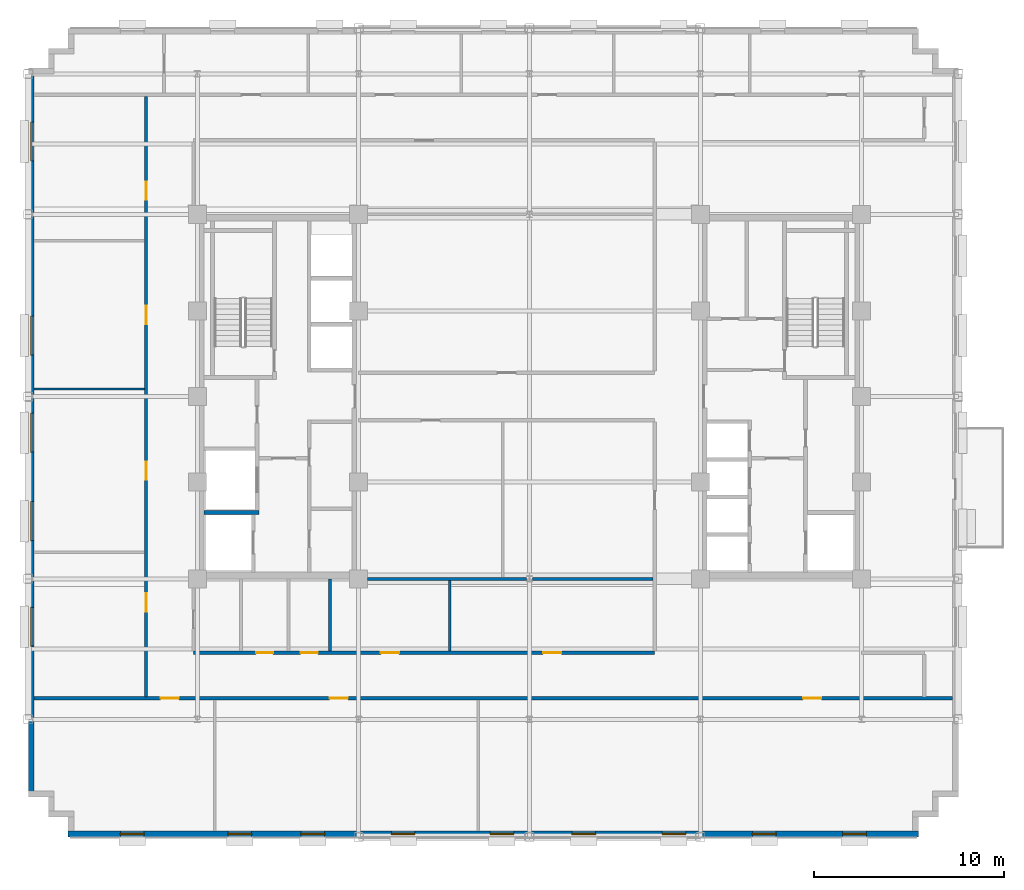
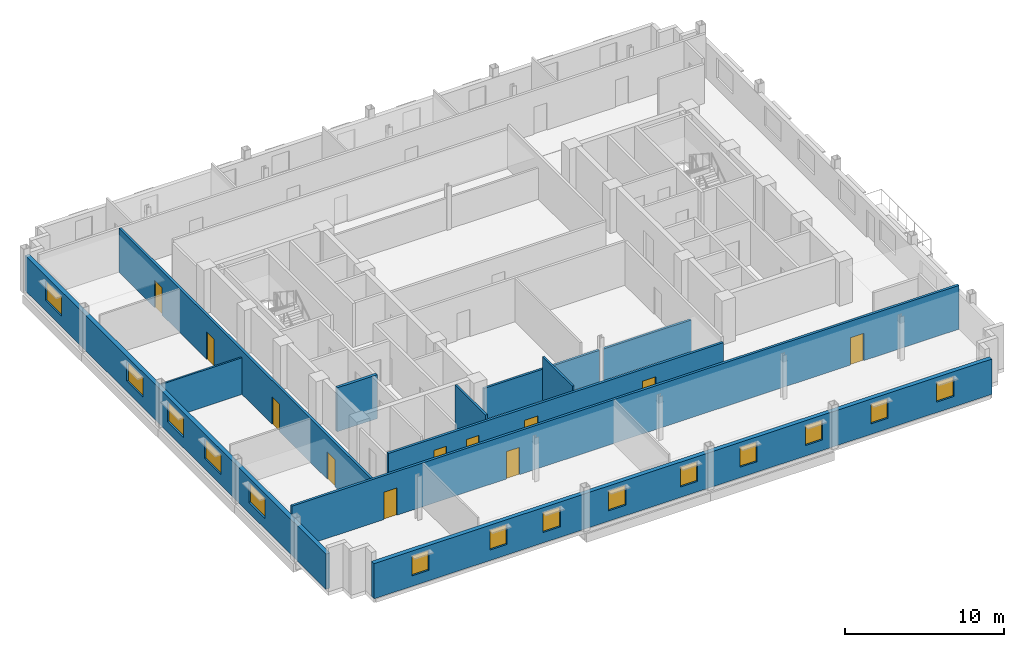
# One storey, part 7 of 15: 14 windows, 11 doors, 11 walls, 25 openings.
"""IFC4 building model written with IfcOpenShell, lengths in metres."""

from ifc_helpers import new_model, si_unit, direction, frame, frame_2d, origin, place, context, subcontext, project, spatial, rectangle, extrude, source, transform, mapped, material, layer, layer_set, type_object, type_shapes, element, fill, save


model = new_model("IFC4")

# Units and contexts
model_context = context("Model", 3, precision=1e-05, world=origin(), true_north=direction((0.0, 1.0)))
body_context = subcontext(model_context, "Body", "Model", "MODEL_VIEW")
ifc_project = project(units=[si_unit("LENGTHUNIT", "METRE"), si_unit("AREAUNIT", "SQUARE_METRE"), si_unit("VOLUMEUNIT", "CUBIC_METRE"), si_unit("PLANEANGLEUNIT", "RADIAN"), si_unit("MASSUNIT", "GRAM", prefix="KILO")], contexts=[model_context])

# Site, building, storey
site_placement = place(None, origin())
site = spatial("IfcSite", under=ifc_project, at=site_placement, CompositionType="ELEMENT")
building_placement = place(site_placement, origin())
building = spatial("IfcBuilding", under=site, at=building_placement, Name="Nuvemarco Arch Tower", CompositionType="ELEMENT")
storey_placement = place(building_placement, frame((0.0, 0.0, 201.85009765625)))
storey = spatial("IfcBuildingStorey", under=building, at=storey_placement, Name="L53", CompositionType="ELEMENT", Elevation=201.85009765625)

# Wall, openings, windows
ifc_material_1 = material(Name="Precast concrete C45/55", Category="concrete")
ifc_layer_1 = layer(ifc_material_1, 0.31005859375, Name="EW-UPP-310")
ifc_layer_set_1 = layer_set([ifc_layer_1], Name="Precast concrete C45/55")
wall_type_1 = type_object("IfcWallType", Name="EW-UPP-310", PredefinedType="STANDARD", material=ifc_layer_set_1)
wall_1_placement = place(storey_placement, frame((-24.300048828125, -23.044921875, 0.0), z_axis=(0.0, 0.0, 1.0), x_axis=(1.0, 0.0, 0.0)))
wall_1 = element("IfcWall", 1, at=wall_1_placement, inside=storey, type_object=wall_type_1, Name="L53 exterior precast facade wall 1", PredefinedType="STANDARD", context=body_context, shape_type="SweptSolid", body=[
    extrude(rectangle(XDim=44.800048828125, YDim=0.31005859375, at=frame_2d((22.39990234375, 0.0))), origin(), (0.0, 0.0, 1.0), 2.704833984375),
])
opening_1_placement = place(wall_1_placement, frame((2.752685546875, 0.0, 0.800048828125)))
opening_1 = element("IfcOpeningElement", 2, at=opening_1_placement, cuts=wall_1, Name="Opening WN-13", PredefinedType="OPENING", context=body_context, shape_type="SweptSolid", body=[
    extrude(rectangle(XDim=1.25, YDim=1.52001953125, at=frame_2d((0.625, 0.760009765625))), frame((0.0, 0.1650390625, 0.0), z_axis=(0.0, -1.0, 0.0), x_axis=(1.0, 0.0, 0.0)), (0.0, 0.0, 1.0), 0.330078125),
])
opening_2_placement = place(wall_1_placement, frame((8.408203125, 0.0, 0.800048828125)))
opening_2 = element("IfcOpeningElement", 3, at=opening_2_placement, cuts=wall_1, Name="Opening WN-13", PredefinedType="OPENING", context=body_context, shape_type="SweptSolid", body=[
    extrude(rectangle(XDim=1.25, YDim=1.52001953125, at=frame_2d((0.625, 0.760009765625))), frame((0.0, 0.1650390625, 0.0), z_axis=(0.0, -1.0, 0.0), x_axis=(1.0, 0.0, 0.0)), (0.0, 0.0, 1.0), 0.330078125),
])
opening_3_placement = place(wall_1_placement, frame((12.263916015625, 0.0, 0.800048828125)))
opening_3 = element("IfcOpeningElement", 4, at=opening_3_placement, cuts=wall_1, Name="Opening WN-13", PredefinedType="OPENING", context=body_context, shape_type="SweptSolid", body=[
    extrude(rectangle(XDim=1.25, YDim=1.52001953125, at=frame_2d((0.625, 0.760009765625))), frame((0.0, 0.1650390625, 0.0), z_axis=(0.0, -1.0, 0.0), x_axis=(1.0, 0.0, 0.0)), (0.0, 0.0, 1.0), 0.330078125),
])
opening_4_placement = place(wall_1_placement, frame((17.019287109375, 0.0, 0.800048828125)))
opening_4 = element("IfcOpeningElement", 5, at=opening_4_placement, cuts=wall_1, Name="Opening WN-13", PredefinedType="OPENING", context=body_context, shape_type="SweptSolid", body=[
    extrude(rectangle(XDim=1.25, YDim=1.52001953125, at=frame_2d((0.625, 0.760009765625))), frame((0.0, 0.1650390625, 0.0), z_axis=(0.0, -1.0, 0.0), x_axis=(1.0, 0.0, 0.0)), (0.0, 0.0, 1.0), 0.330078125),
])
opening_5_placement = place(wall_1_placement, frame((22.22509765625, 0.0, 0.800048828125)))
opening_5 = element("IfcOpeningElement", 6, at=opening_5_placement, cuts=wall_1, Name="Opening WN-13", PredefinedType="OPENING", context=body_context, shape_type="SweptSolid", body=[
    extrude(rectangle(XDim=1.25, YDim=1.52001953125, at=frame_2d((0.625, 0.760009765625))), frame((0.0, 0.1650390625, 0.0), z_axis=(0.0, -1.0, 0.0), x_axis=(1.0, 0.0, 0.0)), (0.0, 0.0, 1.0), 0.330078125),
])
opening_6_placement = place(wall_1_placement, frame((26.530517578125, 0.0, 0.800048828125)))
opening_6 = element("IfcOpeningElement", 7, at=opening_6_placement, cuts=wall_1, Name="Opening WN-13", PredefinedType="OPENING", context=body_context, shape_type="SweptSolid", body=[
    extrude(rectangle(XDim=1.25, YDim=1.52001953125, at=frame_2d((0.625, 0.760009765625))), frame((0.0, 0.1650390625, 0.0), z_axis=(0.0, -1.0, 0.0), x_axis=(1.0, 0.0, 0.0)), (0.0, 0.0, 1.0), 0.330078125),
])
opening_7_placement = place(wall_1_placement, frame((31.2861328125, 0.0, 0.800048828125)))
opening_7 = element("IfcOpeningElement", 8, at=opening_7_placement, cuts=wall_1, Name="Opening WN-13", PredefinedType="OPENING", context=body_context, shape_type="SweptSolid", body=[
    extrude(rectangle(XDim=1.25, YDim=1.52001953125, at=frame_2d((0.625, 0.760009765625))), frame((0.0, 0.1650390625, 0.0), z_axis=(0.0, -1.0, 0.0), x_axis=(1.0, 0.0, 0.0)), (0.0, 0.0, 1.0), 0.330078125),
])
opening_8_placement = place(wall_1_placement, frame((36.041748046875, 0.0, 0.800048828125)))
opening_8 = element("IfcOpeningElement", 9, at=opening_8_placement, cuts=wall_1, Name="Opening WN-13", PredefinedType="OPENING", context=body_context, shape_type="SweptSolid", body=[
    extrude(rectangle(XDim=1.25, YDim=1.52001953125, at=frame_2d((0.625, 0.760009765625))), frame((0.0, 0.1650390625, 0.0), z_axis=(0.0, -1.0, 0.0), x_axis=(1.0, 0.0, 0.0)), (0.0, 0.0, 1.0), 0.330078125),
])
opening_9_placement = place(wall_1_placement, frame((40.797119140625, 0.0, 0.800048828125)))
opening_9 = element("IfcOpeningElement", 10, at=opening_9_placement, cuts=wall_1, Name="Opening WN-13", PredefinedType="OPENING", context=body_context, shape_type="SweptSolid", body=[
    extrude(rectangle(XDim=1.25, YDim=1.52001953125, at=frame_2d((0.625, 0.760009765625))), frame((0.0, 0.1650390625, 0.0), z_axis=(0.0, -1.0, 0.0), x_axis=(1.0, 0.0, 0.0)), (0.0, 0.0, 1.0), 0.330078125),
])
ifc_material_2 = material(Name="Insulated solar-control glass", Category="glass")
window_type_1 = type_object("IfcWindowType", Name="WN-SET-1250x1520", PartitioningType="SINGLE_PANEL", PredefinedType="WINDOW", material=ifc_material_2)
shared_shape_1 = source(origin(), body_context, "Body", "SweptSolid", [
    extrude(rectangle(XDim=1.25, YDim=1.52001953125, at=frame_2d((0.625, 0.760009765625))), frame((0.0, 0.030029296875, 0.0), z_axis=(0.0, -1.0, 0.0), x_axis=(1.0, 0.0, 0.0)), (0.0, 0.0, 1.0), 0.06005859375),
])
type_shapes(window_type_1, [shared_shape_1])
window_1_placement = place(opening_1_placement, origin())
window_1 = element("IfcWindow", 11, at=window_1_placement, inside=storey, type_object=window_type_1, Name="L53 punched facade window 1", OverallHeight=1.52001953125, OverallWidth=1.25, PartitioningType="SINGLE_PANEL", PredefinedType="WINDOW", context=body_context, shape_type="MappedRepresentation", body=[
    mapped(shared_shape_1, transform((0.0, 0.0, 0.0), scale=1.0)),
])
fill(opening_1, window_1)
window_2_placement = place(opening_2_placement, origin())
window_2 = element("IfcWindow", 12, at=window_2_placement, inside=storey, type_object=window_type_1, Name="L53 punched facade window 2", OverallHeight=1.52001953125, OverallWidth=1.25, PartitioningType="SINGLE_PANEL", PredefinedType="WINDOW", context=body_context, shape_type="MappedRepresentation", body=[
    mapped(shared_shape_1, transform((0.0, 0.0, 0.0), scale=1.0)),
])
fill(opening_2, window_2)
window_3_placement = place(opening_3_placement, origin())
window_3 = element("IfcWindow", 13, at=window_3_placement, inside=storey, type_object=window_type_1, Name="L53 punched facade window 3", OverallHeight=1.52001953125, OverallWidth=1.25, PartitioningType="SINGLE_PANEL", PredefinedType="WINDOW", context=body_context, shape_type="MappedRepresentation", body=[
    mapped(shared_shape_1, transform((0.0, 0.0, 0.0), scale=1.0)),
])
fill(opening_3, window_3)
window_4_placement = place(opening_4_placement, origin())
window_4 = element("IfcWindow", 14, at=window_4_placement, inside=storey, type_object=window_type_1, Name="L53 punched facade window 4", OverallHeight=1.52001953125, OverallWidth=1.25, PartitioningType="SINGLE_PANEL", PredefinedType="WINDOW", context=body_context, shape_type="MappedRepresentation", body=[
    mapped(shared_shape_1, transform((0.0, 0.0, 0.0), scale=1.0)),
])
fill(opening_4, window_4)
window_5_placement = place(opening_5_placement, origin())
window_5 = element("IfcWindow", 15, at=window_5_placement, inside=storey, type_object=window_type_1, Name="L53 punched facade window 5", OverallHeight=1.52001953125, OverallWidth=1.25, PartitioningType="SINGLE_PANEL", PredefinedType="WINDOW", context=body_context, shape_type="MappedRepresentation", body=[
    mapped(shared_shape_1, transform((0.0, 0.0, 0.0), scale=1.0)),
])
fill(opening_5, window_5)
window_6_placement = place(opening_6_placement, origin())
window_6 = element("IfcWindow", 16, at=window_6_placement, inside=storey, type_object=window_type_1, Name="L53 punched facade window 6", OverallHeight=1.52001953125, OverallWidth=1.25, PartitioningType="SINGLE_PANEL", PredefinedType="WINDOW", context=body_context, shape_type="MappedRepresentation", body=[
    mapped(shared_shape_1, transform((0.0, 0.0, 0.0), scale=1.0)),
])
fill(opening_6, window_6)
window_7_placement = place(opening_7_placement, origin())
window_7 = element("IfcWindow", 17, at=window_7_placement, inside=storey, type_object=window_type_1, Name="L53 punched facade window 7", OverallHeight=1.52001953125, OverallWidth=1.25, PartitioningType="SINGLE_PANEL", PredefinedType="WINDOW", context=body_context, shape_type="MappedRepresentation", body=[
    mapped(shared_shape_1, transform((0.0, 0.0, 0.0), scale=1.0)),
])
fill(opening_7, window_7)
window_8_placement = place(opening_8_placement, origin())
window_8 = element("IfcWindow", 18, at=window_8_placement, inside=storey, type_object=window_type_1, Name="L53 punched facade window 8", OverallHeight=1.52001953125, OverallWidth=1.25, PartitioningType="SINGLE_PANEL", PredefinedType="WINDOW", context=body_context, shape_type="MappedRepresentation", body=[
    mapped(shared_shape_1, transform((0.0, 0.0, 0.0), scale=1.0)),
])
fill(opening_8, window_8)
window_9_placement = place(opening_9_placement, origin())
window_9 = element("IfcWindow", 19, at=window_9_placement, inside=storey, type_object=window_type_1, Name="L53 punched facade window 9", OverallHeight=1.52001953125, OverallWidth=1.25, PartitioningType="SINGLE_PANEL", PredefinedType="WINDOW", context=body_context, shape_type="MappedRepresentation", body=[
    mapped(shared_shape_1, transform((0.0, 0.0, 0.0), scale=1.0)),
])
fill(opening_9, window_9)

wall_2_placement = place(storey_placement, frame((-26.2451171875, -20.7939453125, 0.0), z_axis=(0.0, 0.0, 1.0), x_axis=(0.0, 1.0, 0.0)))
wall_2 = element("IfcWall", 20, at=wall_2_placement, inside=storey, type_object=wall_type_1, Name="L53 exterior precast facade wall 16", PredefinedType="STANDARD", context=body_context, shape_type="SweptSolid", body=[
    extrude(rectangle(XDim=37.787841796875, YDim=0.31005859375, at=frame_2d((18.89404296875, 0.0))), origin(), (0.0, 0.0, 1.0), 2.704833984375),
])
opening_10_placement = place(wall_2_placement, frame((7.643798828125, 0.0, 0.800048828125)))
opening_10 = element("IfcOpeningElement", 21, at=opening_10_placement, cuts=wall_2, Name="Opening WN-12", PredefinedType="OPENING", context=body_context, shape_type="SweptSolid", body=[
    extrude(rectangle(XDim=2.050048828125, YDim=1.52001953125, at=frame_2d((1.02490234375, 0.760009765625))), frame((0.0, 0.1650390625, 0.0), z_axis=(0.0, -1.0, 0.0), x_axis=(1.0, 0.0, 0.0)), (0.0, 0.0, 1.0), 0.330078125),
])
opening_11_placement = place(wall_2_placement, frame((13.206298828125, 0.0, 0.800048828125)))
opening_11 = element("IfcOpeningElement", 22, at=opening_11_placement, cuts=wall_2, Name="Opening WN-12", PredefinedType="OPENING", context=body_context, shape_type="SweptSolid", body=[
    extrude(rectangle(XDim=2.050048828125, YDim=1.52001953125, at=frame_2d((1.02490234375, 0.760009765625))), frame((0.0, 0.1650390625, 0.0), z_axis=(0.0, -1.0, 0.0), x_axis=(1.0, 0.0, 0.0)), (0.0, 0.0, 1.0), 0.330078125),
])
opening_12_placement = place(wall_2_placement, frame((17.868896484375, 0.0, 0.800048828125)))
opening_12 = element("IfcOpeningElement", 23, at=opening_12_placement, cuts=wall_2, Name="Opening WN-12", PredefinedType="OPENING", context=body_context, shape_type="SweptSolid", body=[
    extrude(rectangle(XDim=2.050048828125, YDim=1.52001953125, at=frame_2d((1.02490234375, 0.760009765625))), frame((0.0, 0.1650390625, 0.0), z_axis=(0.0, -1.0, 0.0), x_axis=(1.0, 0.0, 0.0)), (0.0, 0.0, 1.0), 0.330078125),
])
opening_13_placement = place(wall_2_placement, frame((22.981689453125, 0.0, 0.800048828125)))
opening_13 = element("IfcOpeningElement", 24, at=opening_13_placement, cuts=wall_2, Name="Opening WN-12", PredefinedType="OPENING", context=body_context, shape_type="SweptSolid", body=[
    extrude(rectangle(XDim=2.050048828125, YDim=1.52001953125, at=frame_2d((1.02490234375, 0.760009765625))), frame((0.0, 0.1650390625, 0.0), z_axis=(0.0, -1.0, 0.0), x_axis=(1.0, 0.0, 0.0)), (0.0, 0.0, 1.0), 0.330078125),
])
opening_14_placement = place(wall_2_placement, frame((33.206787109375, 0.0, 0.800048828125)))
opening_14 = element("IfcOpeningElement", 25, at=opening_14_placement, cuts=wall_2, Name="Opening WN-12", PredefinedType="OPENING", context=body_context, shape_type="SweptSolid", body=[
    extrude(rectangle(XDim=2.050048828125, YDim=1.52001953125, at=frame_2d((1.02490234375, 0.760009765625))), frame((0.0, 0.1650390625, 0.0), z_axis=(0.0, -1.0, 0.0), x_axis=(1.0, 0.0, 0.0)), (0.0, 0.0, 1.0), 0.330078125),
])
window_type_2 = type_object("IfcWindowType", Name="WN-SET-2050x1520", PartitioningType="DOUBLE_PANEL_VERTICAL", PredefinedType="WINDOW", material=ifc_material_2)
shared_shape_2 = source(origin(), body_context, "Body", "SweptSolid", [
    extrude(rectangle(XDim=2.050048828125, YDim=1.52001953125, at=frame_2d((1.02490234375, 0.760009765625))), frame((0.0, 0.030029296875, 0.0), z_axis=(0.0, -1.0, 0.0), x_axis=(1.0, 0.0, 0.0)), (0.0, 0.0, 1.0), 0.06005859375),
])
type_shapes(window_type_2, [shared_shape_2])
window_10_placement = place(opening_10_placement, origin())
window_10 = element("IfcWindow", 26, at=window_10_placement, inside=storey, type_object=window_type_2, Name="L53 punched facade window 2", OverallHeight=1.52001953125, OverallWidth=2.050048828125, PartitioningType="SINGLE_PANEL", PredefinedType="WINDOW", context=body_context, shape_type="MappedRepresentation", body=[
    mapped(shared_shape_2, transform((0.0, 0.0, 0.0), scale=1.0)),
])
fill(opening_10, window_10)
window_11_placement = place(opening_11_placement, origin())
window_11 = element("IfcWindow", 27, at=window_11_placement, inside=storey, type_object=window_type_2, Name="L53 punched facade window 3", OverallHeight=1.52001953125, OverallWidth=2.050048828125, PartitioningType="SINGLE_PANEL", PredefinedType="WINDOW", context=body_context, shape_type="MappedRepresentation", body=[
    mapped(shared_shape_2, transform((0.0, 0.0, 0.0), scale=1.0)),
])
fill(opening_11, window_11)
window_12_placement = place(opening_12_placement, origin())
window_12 = element("IfcWindow", 28, at=window_12_placement, inside=storey, type_object=window_type_2, Name="L53 punched facade window 4", OverallHeight=1.52001953125, OverallWidth=2.050048828125, PartitioningType="SINGLE_PANEL", PredefinedType="WINDOW", context=body_context, shape_type="MappedRepresentation", body=[
    mapped(shared_shape_2, transform((0.0, 0.0, 0.0), scale=1.0)),
])
fill(opening_12, window_12)
window_13_placement = place(opening_13_placement, origin())
window_13 = element("IfcWindow", 29, at=window_13_placement, inside=storey, type_object=window_type_2, Name="L53 punched facade window 5", OverallHeight=1.52001953125, OverallWidth=2.050048828125, PartitioningType="SINGLE_PANEL", PredefinedType="WINDOW", context=body_context, shape_type="MappedRepresentation", body=[
    mapped(shared_shape_2, transform((0.0, 0.0, 0.0), scale=1.0)),
])
fill(opening_13, window_13)
window_14_placement = place(opening_14_placement, origin())
window_14 = element("IfcWindow", 30, at=window_14_placement, inside=storey, type_object=window_type_2, Name="L53 punched facade window 7", OverallHeight=1.52001953125, OverallWidth=2.050048828125, PartitioningType="SINGLE_PANEL", PredefinedType="WINDOW", context=body_context, shape_type="MappedRepresentation", body=[
    mapped(shared_shape_2, transform((0.0, 0.0, 0.0), scale=1.0)),
])
fill(opening_14, window_14)

# Wall, openings, doors
ifc_material_3 = material(Name="Fire-rated gypsum drywall partition")
ifc_layer_2 = layer(ifc_material_3, 0.179931640625, Name="WL-CORR-180")
ifc_layer_set_2 = layer_set([ifc_layer_2], Name="Fire-rated gypsum drywall partition")
wall_type_2 = type_object("IfcWallType", Name="WL-CORR-180", PredefinedType="PARTITIONING", material=ifc_layer_set_2)
wall_3_placement = place(storey_placement, frame((-26.090087890625, -15.89990234375, 0.0), z_axis=(0.0, 0.0, 1.0), x_axis=(1.0, 0.0, 0.0)))
wall_3 = element("IfcWall", 31, at=wall_3_placement, inside=storey, type_object=wall_type_2, Name="L53 interior wall IW-L53-001", PredefinedType="PARTITIONING", context=body_context, shape_type="SweptSolid", body=[
    extrude(rectangle(XDim=48.380126953125, YDim=0.179931640625, at=frame_2d((24.18994140625, 0.0))), origin(), (0.0, 0.0, 1.0), 3.35986328125),
])
opening_15_placement = place(wall_3_placement, frame((15.56005859375, 0.0, 0.0)))
opening_15 = element("IfcOpeningElement", 32, at=opening_15_placement, cuts=wall_3, Name="Opening FD-5", PredefinedType="OPENING", context=body_context, shape_type="SweptSolid", body=[
    extrude(rectangle(XDim=0.9599609375, YDim=2.10009765625, at=frame_2d((0.47998046875, 1.050048828125))), frame((0.0, 0.099853515625, 0.0), z_axis=(0.0, -1.0, 0.0), x_axis=(1.0, 0.0, 0.0)), (0.0, 0.0, 1.0), 0.199951171875),
])
opening_16_placement = place(wall_3_placement, frame((40.510009765625, 0.0, 0.0)))
opening_16 = element("IfcOpeningElement", 33, at=opening_16_placement, cuts=wall_3, Name="Opening FD-5", PredefinedType="OPENING", context=body_context, shape_type="SweptSolid", body=[
    extrude(rectangle(XDim=0.9599609375, YDim=2.10009765625, at=frame_2d((0.47998046875, 1.050048828125))), frame((0.0, 0.099853515625, 0.0), z_axis=(0.0, -1.0, 0.0), x_axis=(1.0, 0.0, 0.0)), (0.0, 0.0, 1.0), 0.199951171875),
])
opening_17_placement = place(wall_3_placement, frame((6.659912109375, 0.0, 0.0)))
opening_17 = element("IfcOpeningElement", 34, at=opening_17_placement, cuts=wall_3, Name="Opening FD-5", PredefinedType="OPENING", context=body_context, shape_type="SweptSolid", body=[
    extrude(rectangle(XDim=0.9599609375, YDim=2.10009765625, at=frame_2d((0.47998046875, 1.050048828125))), frame((0.0, 0.099853515625, 0.0), z_axis=(0.0, -1.0, 0.0), x_axis=(1.0, 0.0, 0.0)), (0.0, 0.0, 1.0), 0.199951171875),
])
ifc_material_4 = material(Name="Timber fire door", Category="wood")
door_type_1 = type_object("IfcDoorType", Name="DR-CORR-FD", OperationType="NOTDEFINED", PredefinedType="DOOR", material=ifc_material_4)
shared_shape_3 = source(origin(), body_context, "Body", "SweptSolid", [
    extrude(rectangle(XDim=0.9599609375, YDim=2.10009765625, at=frame_2d((0.47998046875, 1.050048828125))), frame((0.0, 0.02490234375, 0.0), z_axis=(0.0, -1.0, 0.0), x_axis=(1.0, 0.0, 0.0)), (0.0, 0.0, 1.0), 0.050048828125),
])
type_shapes(door_type_1, [shared_shape_3])
door_1_placement = place(opening_15_placement, origin())
door_1 = element("IfcDoor", 35, at=door_1_placement, inside=storey, type_object=door_type_1, Name="L53 door DR-L53-S_2", OperationType="SINGLE_SWING_RIGHT", OverallHeight=2.10009765625, OverallWidth=0.9599609375, PredefinedType="DOOR", context=body_context, shape_type="MappedRepresentation", body=[
    mapped(shared_shape_3, transform((0.0, 0.0, 0.0), scale=1.0)),
])
fill(opening_15, door_1)
door_2_placement = place(opening_16_placement, origin())
door_2 = element("IfcDoor", 36, at=door_2_placement, inside=storey, type_object=door_type_1, Name="L53 door DR-L53-S_3", OperationType="SINGLE_SWING_LEFT", OverallHeight=2.10009765625, OverallWidth=0.9599609375, PredefinedType="DOOR", context=body_context, shape_type="MappedRepresentation", body=[
    mapped(shared_shape_3, transform((0.0, 0.0, 0.0), scale=1.0)),
])
fill(opening_16, door_2)
door_3_placement = place(opening_17_placement, origin())
door_3 = element("IfcDoor", 37, at=door_3_placement, inside=storey, type_object=door_type_1, Name="L53 door DR-L53-S_1", OperationType="SINGLE_SWING_LEFT", OverallHeight=2.10009765625, OverallWidth=0.9599609375, PredefinedType="DOOR", context=body_context, shape_type="MappedRepresentation", body=[
    mapped(shared_shape_3, transform((0.0, 0.0, 0.0), scale=1.0)),
])
fill(opening_17, door_3)

wall_4_placement = place(storey_placement, frame((-17.699951171875, -13.5, 0.0), z_axis=(0.0, 0.0, 1.0), x_axis=(1.0, 0.0, 0.0)))
wall_4 = element("IfcWall", 38, at=wall_4_placement, inside=storey, type_object=wall_type_2, Name="L53 interior wall IW-L53-002", PredefinedType="PARTITIONING", context=body_context, shape_type="SweptSolid", body=[
    extrude(rectangle(XDim=24.300048828125, YDim=0.179931640625, at=frame_2d((12.14990234375, 0.0))), origin(), (0.0, 0.0, 1.0), 3.0078125),
])
opening_18_placement = place(wall_4_placement, frame((18.419921875, 0.0, 0.0)))
opening_18 = element("IfcOpeningElement", 39, at=opening_18_placement, cuts=wall_4, Name="Opening FD-5", PredefinedType="OPENING", context=body_context, shape_type="SweptSolid", body=[
    extrude(rectangle(XDim=0.9599609375, YDim=2.10009765625, at=frame_2d((0.47998046875, 1.050048828125))), frame((0.0, 0.099853515625, 0.0), z_axis=(0.0, -1.0, 0.0), x_axis=(1.0, 0.0, 0.0)), (0.0, 0.0, 1.0), 0.199951171875),
])
opening_19_placement = place(wall_4_placement, frame((9.8701171875, 0.0, 0.0)))
opening_19 = element("IfcOpeningElement", 40, at=opening_19_placement, cuts=wall_4, Name="Opening FD-5", PredefinedType="OPENING", context=body_context, shape_type="SweptSolid", body=[
    extrude(rectangle(XDim=0.9599609375, YDim=2.10009765625, at=frame_2d((0.47998046875, 1.050048828125))), frame((0.0, 0.099853515625, 0.0), z_axis=(0.0, -1.0, 0.0), x_axis=(1.0, 0.0, 0.0)), (0.0, 0.0, 1.0), 0.199951171875),
])
opening_20_placement = place(wall_4_placement, frame((3.300048828125, 0.0, 0.0)))
opening_20 = element("IfcOpeningElement", 41, at=opening_20_placement, cuts=wall_4, Name="Opening ID-3", PredefinedType="OPENING", context=body_context, shape_type="SweptSolid", body=[
    extrude(rectangle(XDim=0.89990234375, YDim=2.10009765625, at=frame_2d((0.449951171875, 1.050048828125))), frame((0.0, 0.099853515625, 0.0), z_axis=(0.0, -1.0, 0.0), x_axis=(1.0, 0.0, 0.0)), (0.0, 0.0, 1.0), 0.199951171875),
])
opening_21_placement = place(wall_4_placement, frame((5.64990234375, 0.0, 0.0)))
opening_21 = element("IfcOpeningElement", 42, at=opening_21_placement, cuts=wall_4, Name="Opening ID-3", PredefinedType="OPENING", context=body_context, shape_type="SweptSolid", body=[
    extrude(rectangle(XDim=0.89990234375, YDim=2.10009765625, at=frame_2d((0.449951171875, 1.050048828125))), frame((0.0, 0.099853515625, 0.0), z_axis=(0.0, -1.0, 0.0), x_axis=(1.0, 0.0, 0.0)), (0.0, 0.0, 1.0), 0.199951171875),
])
door_4_placement = place(opening_18_placement, origin())
door_4 = element("IfcDoor", 43, at=door_4_placement, inside=storey, type_object=door_type_1, Name="L53 door DR-L53-IN_S2", OperationType="SINGLE_SWING_RIGHT", OverallHeight=2.10009765625, OverallWidth=0.9599609375, PredefinedType="DOOR", context=body_context, shape_type="MappedRepresentation", body=[
    mapped(shared_shape_3, transform((0.0, 0.0, 0.0), scale=1.0)),
])
fill(opening_18, door_4)
door_5_placement = place(opening_19_placement, origin())
door_5 = element("IfcDoor", 44, at=door_5_placement, inside=storey, type_object=door_type_1, Name="L53 door DR-L53-IN_S1", OperationType="SINGLE_SWING_RIGHT", OverallHeight=2.10009765625, OverallWidth=0.9599609375, PredefinedType="DOOR", context=body_context, shape_type="MappedRepresentation", body=[
    mapped(shared_shape_3, transform((0.0, 0.0, 0.0), scale=1.0)),
])
fill(opening_19, door_5)
ifc_material_5 = material(Name="Veneered oak timber fire door", Category="wood")
door_type_2 = type_object("IfcDoorType", Name="DR-WC-ACC", OperationType="NOTDEFINED", PredefinedType="DOOR", material=ifc_material_5)
shared_shape_4 = source(origin(), body_context, "Body", "SweptSolid", [
    extrude(rectangle(XDim=0.89990234375, YDim=2.10009765625, at=frame_2d((0.449951171875, 1.050048828125))), frame((0.0, 0.02490234375, 0.0), z_axis=(0.0, -1.0, 0.0), x_axis=(1.0, 0.0, 0.0)), (0.0, 0.0, 1.0), 0.050048828125),
])
type_shapes(door_type_2, [shared_shape_4])
door_6_placement = place(opening_20_placement, origin())
door_6 = element("IfcDoor", 45, at=door_6_placement, inside=storey, type_object=door_type_2, Name="L53 door DR-L53-WC_F", OperationType="SINGLE_SWING_RIGHT", OverallHeight=2.10009765625, OverallWidth=0.89990234375, PredefinedType="DOOR", context=body_context, shape_type="MappedRepresentation", body=[
    mapped(shared_shape_4, transform((0.0, 0.0, 0.0), scale=1.0)),
])
fill(opening_20, door_6)
door_7_placement = place(opening_21_placement, origin())
door_7 = element("IfcDoor", 46, at=door_7_placement, inside=storey, type_object=door_type_2, Name="L53 door DR-L53-WC_ACC", OperationType="SINGLE_SWING_LEFT", OverallHeight=2.10009765625, OverallWidth=0.89990234375, PredefinedType="DOOR", context=body_context, shape_type="MappedRepresentation", body=[
    mapped(shared_shape_4, transform((0.0, 0.0, 0.0), scale=1.0)),
])
fill(opening_21, door_7)

wall_5_placement = place(storey_placement, frame((-20.199951171875, -15.81396484375, 0.0), z_axis=(0.0, 0.0, 1.0), x_axis=(0.0, 1.0, 0.0)))
wall_5 = element("IfcWall", 47, at=wall_5_placement, inside=storey, type_object=wall_type_2, Name="L53 interior wall IW-L53-016", PredefinedType="PARTITIONING", context=body_context, shape_type="SweptSolid", body=[
    extrude(rectangle(XDim=31.6279296875, YDim=0.179931640625, at=frame_2d((15.81396484375, 0.0))), origin(), (0.0, 0.0, 1.0), 3.35986328125),
])
opening_22_placement = place(wall_5_placement, frame((11.43408203125, 0.0, 0.0)))
opening_22 = element("IfcOpeningElement", 48, at=opening_22_placement, cuts=wall_5, Name="Opening FD-5", PredefinedType="OPENING", context=body_context, shape_type="SweptSolid", body=[
    extrude(rectangle(XDim=0.9599609375, YDim=2.10009765625, at=frame_2d((0.47998046875, 1.050048828125))), frame((0.0, 0.099853515625, 0.0), z_axis=(0.0, -1.0, 0.0), x_axis=(1.0, 0.0, 0.0)), (0.0, 0.0, 1.0), 0.199951171875),
])
opening_23_placement = place(wall_5_placement, frame((19.634033203125, 0.0, 0.0)))
opening_23 = element("IfcOpeningElement", 49, at=opening_23_placement, cuts=wall_5, Name="Opening FD-5", PredefinedType="OPENING", context=body_context, shape_type="SweptSolid", body=[
    extrude(rectangle(XDim=0.9599609375, YDim=2.10009765625, at=frame_2d((0.47998046875, 1.050048828125))), frame((0.0, 0.099853515625, 0.0), z_axis=(0.0, -1.0, 0.0), x_axis=(1.0, 0.0, 0.0)), (0.0, 0.0, 1.0), 0.199951171875),
])
opening_24_placement = place(wall_5_placement, frame((4.48388671875, 0.0, 0.0)))
opening_24 = element("IfcOpeningElement", 50, at=opening_24_placement, cuts=wall_5, Name="Opening FD-5", PredefinedType="OPENING", context=body_context, shape_type="SweptSolid", body=[
    extrude(rectangle(XDim=0.9599609375, YDim=2.10009765625, at=frame_2d((0.47998046875, 1.050048828125))), frame((0.0, 0.099853515625, 0.0), z_axis=(0.0, -1.0, 0.0), x_axis=(1.0, 0.0, 0.0)), (0.0, 0.0, 1.0), 0.199951171875),
])
opening_25_placement = place(wall_5_placement, frame((26.18408203125, 0.0, 0.0)))
opening_25 = element("IfcOpeningElement", 51, at=opening_25_placement, cuts=wall_5, Name="Opening FD-5", PredefinedType="OPENING", context=body_context, shape_type="SweptSolid", body=[
    extrude(rectangle(XDim=0.9599609375, YDim=2.10009765625, at=frame_2d((0.47998046875, 1.050048828125))), frame((0.0, 0.099853515625, 0.0), z_axis=(0.0, -1.0, 0.0), x_axis=(1.0, 0.0, 0.0)), (0.0, 0.0, 1.0), 0.199951171875),
])
door_8_placement = place(opening_22_placement, origin())
door_8 = element("IfcDoor", 52, at=door_8_placement, inside=storey, type_object=door_type_1, Name="L53 door DR-L53-W_2", OperationType="SINGLE_SWING_RIGHT", OverallHeight=2.10009765625, OverallWidth=0.9599609375, PredefinedType="DOOR", context=body_context, shape_type="MappedRepresentation", body=[
    mapped(shared_shape_3, transform((0.0, 0.0, 0.0), scale=1.0)),
])
fill(opening_22, door_8)
door_9_placement = place(opening_23_placement, origin())
door_9 = element("IfcDoor", 53, at=door_9_placement, inside=storey, type_object=door_type_1, Name="L53 door DR-L53-W_3", OperationType="SINGLE_SWING_RIGHT", OverallHeight=2.10009765625, OverallWidth=0.9599609375, PredefinedType="DOOR", context=body_context, shape_type="MappedRepresentation", body=[
    mapped(shared_shape_3, transform((0.0, 0.0, 0.0), scale=1.0)),
])
fill(opening_23, door_9)
door_10_placement = place(opening_24_placement, origin())
door_10 = element("IfcDoor", 54, at=door_10_placement, inside=storey, type_object=door_type_1, Name="L53 door DR-L53-W_1", OperationType="SINGLE_SWING_RIGHT", OverallHeight=2.10009765625, OverallWidth=0.9599609375, PredefinedType="DOOR", context=body_context, shape_type="MappedRepresentation", body=[
    mapped(shared_shape_3, transform((0.0, 0.0, 0.0), scale=1.0)),
])
fill(opening_24, door_10)
door_11_placement = place(opening_25_placement, origin())
door_11 = element("IfcDoor", 55, at=door_11_placement, inside=storey, type_object=door_type_1, Name="L53 door DR-L53-W_4", OperationType="SINGLE_SWING_LEFT", OverallHeight=2.10009765625, OverallWidth=0.9599609375, PredefinedType="DOOR", context=body_context, shape_type="MappedRepresentation", body=[
    mapped(shared_shape_3, transform((0.0, 0.0, 0.0), scale=1.0)),
])
fill(opening_25, door_11)

# Walls
ifc_material_6 = material(Name="Glazed acoustic office partition")
ifc_layer_3 = layer(ifc_material_6, 0.1298828125, Name="WL-EXEC-130")
ifc_layer_set_3 = layer_set([ifc_layer_3], Name="Glazed acoustic office partition")
wall_type_3 = type_object("IfcWallType", Name="WL-EXEC-130", PredefinedType="PARTITIONING", material=ifc_layer_set_3)
wall_6_placement = place(storey_placement, frame((-26.090087890625, 0.39990234375, 0.0), z_axis=(0.0, 0.0, 1.0), x_axis=(1.0, 0.0, 0.0)))
element("IfcWall", 56, at=wall_6_placement, inside=storey, type_object=wall_type_3, Name="L53 interior wall IW-L53-008", PredefinedType="PARTITIONING", context=body_context, shape_type="SweptSolid", body=[
    extrude(rectangle(XDim=5.80419921875, YDim=0.1298828125, at=frame_2d((2.902099609375, 0.0))), origin(), (0.0, 0.0, 1.0), 2.81591796875),
])
ifc_material_7 = material(Name="Gypsum plasterboard partition")
ifc_layer_4 = layer(ifc_material_7, 0.139892578125, Name="WL-ROOM-140")
ifc_layer_set_4 = layer_set([ifc_layer_4], Name="Gypsum plasterboard partition")
wall_type_4 = type_object("IfcWallType", Name="WL-ROOM-140", PredefinedType="PARTITIONING", material=ifc_layer_set_4)
wall_7_placement = place(storey_placement, frame((-4.199951171875, -13.4140625, 0.0), z_axis=(0.0, 0.0, 1.0), x_axis=(0.0, 1.0, 0.0)))
element("IfcWall", 57, at=wall_7_placement, inside=storey, type_object=wall_type_4, Name="L53 interior wall IW-L53-025", PredefinedType="PARTITIONING", context=body_context, shape_type="SweptSolid", body=[
    extrude(rectangle(XDim=3.738037109375, YDim=0.139892578125, at=frame_2d((1.869140625, 0.0))), origin(), (0.0, 0.0, 1.0), 3.35986328125),
])
ifc_material_8 = material(Name="Concrete C50/60", Category="concrete")
ifc_layer_5 = layer(ifc_material_8, 0.199951171875, Name="WL-SHAFT-220")
ifc_layer_set_5 = layer_set([ifc_layer_5], Name="Concrete C50/60")
wall_type_5 = type_object("IfcWallType", Name="WL-SHAFT-220", PredefinedType="SHEAR", material=ifc_layer_set_5)
wall_8_placement = place(storey_placement, frame((-17.155029296875, -6.10009765625, 0.0), z_axis=(0.0, 0.0, 1.0), x_axis=(1.0, 0.0, 0.0)))
element("IfcWall", 58, at=wall_8_placement, inside=storey, type_object=wall_type_5, Name="L53 structural shaft wall SW-L53-W-SH1", PredefinedType="SHEAR", context=body_context, shape_type="SweptSolid", body=[
    extrude(rectangle(XDim=2.905029296875, YDim=0.199951171875, at=frame_2d((1.45263671875, 0.0))), origin(), (0.0, 0.0, 1.0), 3.369873046875),
])
ifc_material_9 = material(Name="Acoustic gypsum drywall partition")
ifc_layer_6 = layer(ifc_material_9, 0.159912109375, Name="WL-TENANT-160")
ifc_layer_set_6 = layer_set([ifc_layer_6], Name="Acoustic gypsum drywall partition")
wall_type_6 = type_object("IfcWallType", Name="WL-TENANT-160", PredefinedType="PARTITIONING", material=ifc_layer_set_6)
wall_9_placement = place(storey_placement, frame((-8.529052734375, -9.60009765625, 0.0), z_axis=(0.0, 0.0, 1.0), x_axis=(1.0, 0.0, 0.0)))
element("IfcWall", 59, at=wall_9_placement, inside=storey, type_object=wall_type_6, Name="L53 interior wall IW-L53-004", PredefinedType="PARTITIONING", context=body_context, shape_type="SweptSolid", body=[
    extrude(rectangle(XDim=8.378173828125, YDim=0.159912109375, at=frame_2d((4.18896484375, 0.0))), origin(), (0.0, 0.0, 1.0), 2.40478515625),
])
wall_10_placement = place(storey_placement, frame((0.15087890625, -9.60009765625, 0.0), z_axis=(0.0, 0.0, 1.0), x_axis=(1.0, 0.0, 0.0)))
element("IfcWall", 60, at=wall_10_placement, inside=storey, type_object=wall_type_6, Name="L53 interior wall IW-L53-005", PredefinedType="PARTITIONING", context=body_context, shape_type="SweptSolid", body=[
    extrude(rectangle(XDim=6.363037109375, YDim=0.159912109375, at=frame_2d((3.181640625, 0.0))), origin(), (0.0, 0.0, 1.0), 2.40478515625),
])
ifc_material_10 = material(Name="Moisture-resistant gypsum partition")
ifc_layer_7 = layer(ifc_material_10, 0.14990234375, Name="WL-WET-150")
ifc_layer_set_7 = layer_set([ifc_layer_7], Name="Moisture-resistant gypsum partition")
wall_type_7 = type_object("IfcWallType", Name="WL-WET-150", PredefinedType="PARTITIONING", material=ifc_layer_set_7)
wall_11_placement = place(storey_placement, frame((-10.5, -13.4140625, 0.0), z_axis=(0.0, 0.0, 1.0), x_axis=(0.0, 1.0, 0.0)))
element("IfcWall", 61, at=wall_11_placement, inside=storey, type_object=wall_type_7, Name="L53 interior wall IW-L53-024", PredefinedType="PARTITIONING", context=body_context, shape_type="SweptSolid", body=[
    extrude(rectangle(XDim=3.81396484375, YDim=0.14990234375, at=frame_2d((1.906982421875, 0.0))), origin(), (0.0, 0.0, 1.0), 3.35986328125),
])

save(model, "model.ifc")
